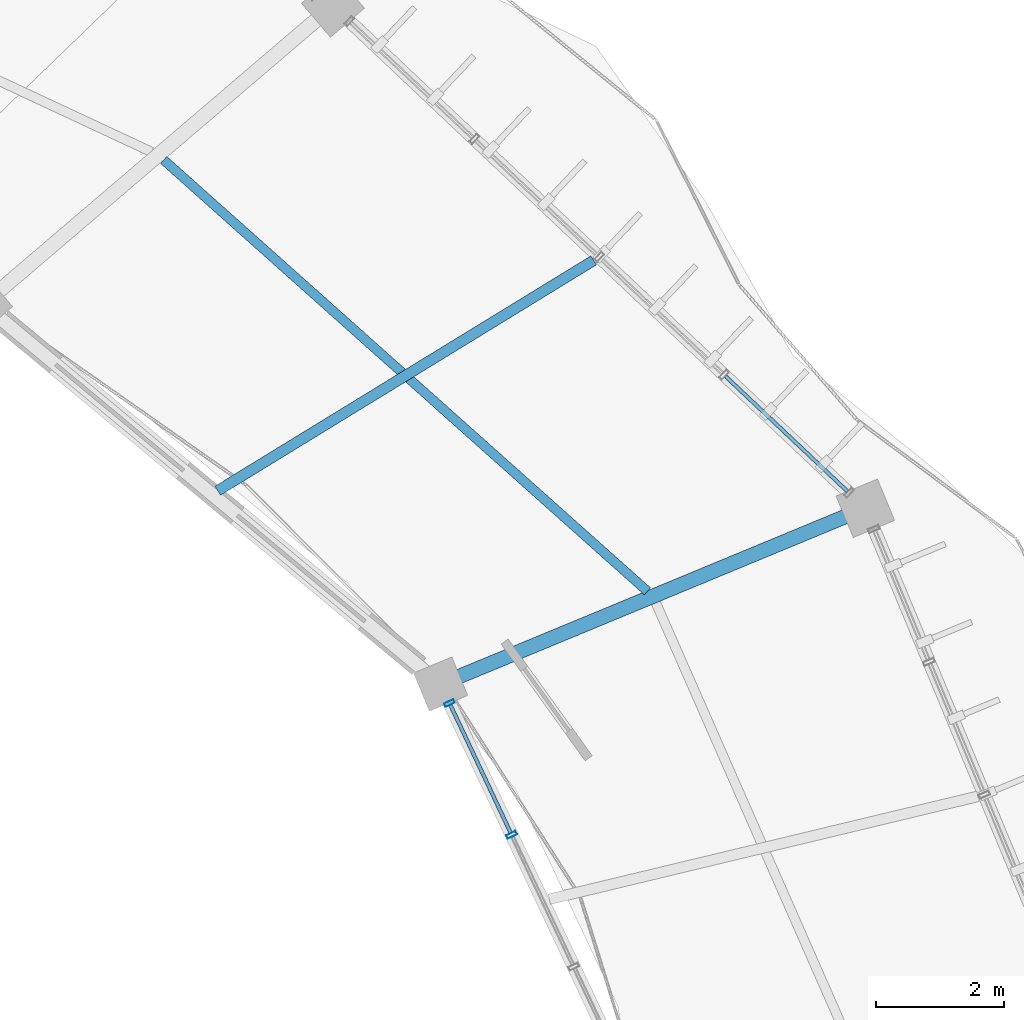
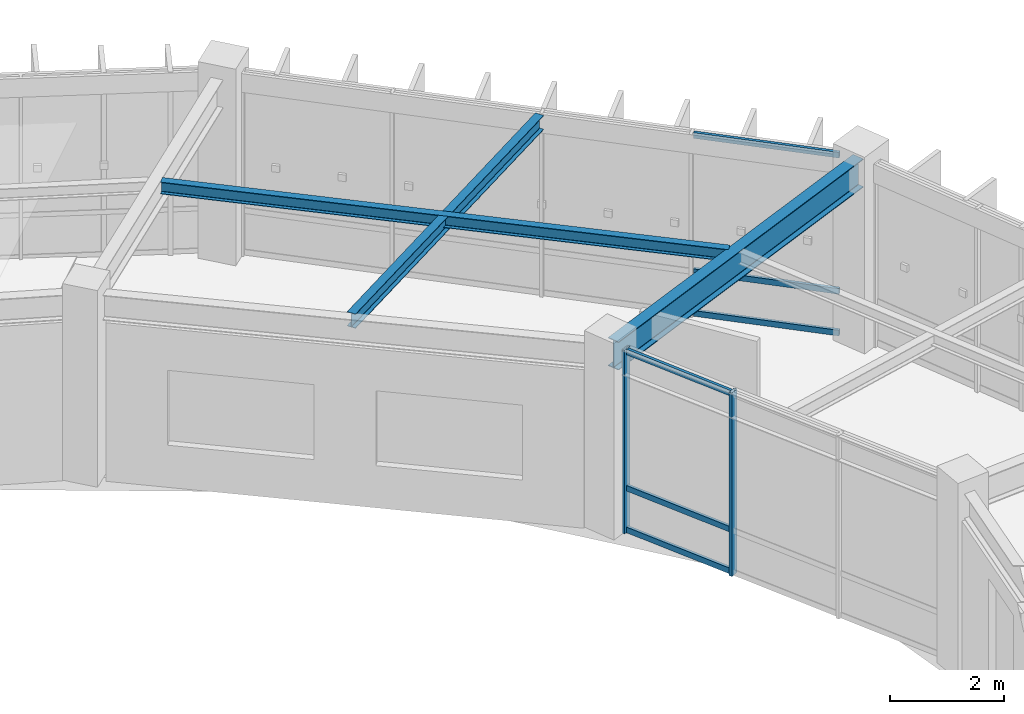
# One storey, part 98 of 138: 8 members, 3 beams, 2 elements without a shape of their own.
"""IFC4 building model written with IfcOpenShell, lengths in metres."""

from ifc_helpers import new_model, si_unit, direction, frame, origin, origin_2d, place, context, subcontext, project, spatial, hollow_rectangle, i_section, extrude, material, material_profile, profile_set, type_object, element, aggregate, save


model = new_model("IFC4")

# Units and contexts
model_context = context("Model", 3, precision=1e-05, world=origin(), true_north=direction((0.0, 1.0)))
body_context = subcontext(model_context, "Body", "Model", "MODEL_VIEW")
ifc_project = project(units=[si_unit("LENGTHUNIT", "METRE"), si_unit("AREAUNIT", "SQUARE_METRE"), si_unit("VOLUMEUNIT", "CUBIC_METRE"), si_unit("PLANEANGLEUNIT", "RADIAN"), si_unit("MASSUNIT", "GRAM", prefix="KILO"), si_unit("THERMODYNAMICTEMPERATUREUNIT", "KELVIN"), si_unit("POWERUNIT", "WATT")], contexts=[model_context])

# Site, building, storey
site_placement = place(None, origin())
site = spatial("IfcSite", under=ifc_project, at=site_placement, CompositionType="ELEMENT")
building_placement = place(site_placement, origin())
building = spatial("IfcBuilding", under=site, at=building_placement, Name="Darbajah Civic Hall", CompositionType="ELEMENT")
storey_placement = place(building_placement, frame((0.0, 0.0, 9.60009765625)))
storey = spatial("IfcBuildingStorey", under=building, at=storey_placement, Name="L02", CompositionType="ELEMENT", Elevation=9.60009765625)

# Curtain wall, members
ifc_material_1 = material(Name="Anodised Bronze Aluminium and Low-E Glazing", Category="aluminium")
curtain_wall_type_1 = type_object("IfcCurtainWallType", Name="Unitised Curtain Wall CW-38 6800x3900", PredefinedType="USERDEFINED", material=ifc_material_1)
curtain_wall_1_placement = place(storey_placement, origin())
curtain_wall_1 = element("IfcCurtainWall", 1, at=curtain_wall_1_placement, inside=storey, type_object=curtain_wall_type_1, Name="L02 unitised curtain wall CW-V1I-L02-00", ObjectType="UNITISED CURTAIN WALL", PredefinedType="USERDEFINED")
ifc_material_2 = material(Name="Anodised Bronze Aluminium", Category="aluminium")
ifc_material_profile_1 = material_profile(ifc_material_2, hollow_rectangle(XDim=0.06005859375, YDim=0.159912109375, WallThickness=0.00341796875, at=origin_2d()), Name="ALU MULLION 60x160")
ifc_profile_set_1 = profile_set([ifc_material_profile_1], Name="Anodised Bronze Aluminium")
member_type_1 = type_object("IfcMemberType", Name="ALU MULLION 60x160", PredefinedType="MULLION", material=ifc_profile_set_1)
member_1_placement = place(storey_placement, frame((130.6787109375, 95.973876953125, 0.0), z_axis=(0.0, 0.0, 1.0), x_axis=(-0.426568739901, 0.904455145454, 0.0)))
member_1 = element("IfcMember", 2, at=member_1_placement, type_object=member_type_1, Name="CW-V1I-L02-00 mullion 3", PredefinedType="MULLION", context=body_context, shape_type="SweptSolid", body=[
    extrude(hollow_rectangle(XDim=0.06005859375, YDim=0.159912109375, WallThickness=0.00341796875, at=origin_2d()), origin(), (0.0, 0.0, 1.0), 3.919921875),
])
member_2_placement = place(storey_placement, frame((129.705322265625, 98.0380859375, 0.0), z_axis=(0.0, 0.0, 1.0), x_axis=(-0.426568739901, 0.904455145454, 0.0)))
member_2 = element("IfcMember", 3, at=member_2_placement, type_object=member_type_1, Name="CW-V1I-L02-00 mullion 4", PredefinedType="MULLION", context=body_context, shape_type="SweptSolid", body=[
    extrude(hollow_rectangle(XDim=0.06005859375, YDim=0.159912109375, WallThickness=0.00341796875, at=origin_2d()), origin(), (0.0, 0.0, 1.0), 3.919921875),
])
ifc_material_profile_2 = material_profile(ifc_material_2, hollow_rectangle(XDim=0.06005859375, YDim=0.1201171875, WallThickness=0.003173828125, at=origin_2d()), Name="ALU TRANSOM 60x120")
ifc_profile_set_2 = profile_set([ifc_material_profile_2], Name="Anodised Bronze Aluminium")
member_type_2 = type_object("IfcMemberType", Name="ALU TRANSOM 60x120", PredefinedType="USERDEFINED", material=ifc_profile_set_2)
member_3_placement = place(storey_placement, frame((130.663818359375, 96.005615234375, 0.059814453125), z_axis=(-0.426567573353, 0.904455695634, 0.0), x_axis=(-0.904455695634, -0.426567573353, 0.0)))
member_3 = element("IfcMember", 4, at=member_3_placement, type_object=member_type_2, Name="CW-V1I-L02-00 transom 3.1", ObjectType="TRANSOM", PredefinedType="USERDEFINED", context=body_context, shape_type="SweptSolid", body=[
    extrude(hollow_rectangle(XDim=0.06005859375, YDim=0.1201171875, WallThickness=0.003173828125, at=origin_2d()), origin(), (0.0, 0.0, 1.0), 2.212158203125),
])
member_4_placement = place(storey_placement, frame((130.663818359375, 96.005615234375, 0.949951171875), z_axis=(-0.426567573353, 0.904455695634, 0.0), x_axis=(-0.904455695634, -0.426567573353, 0.0)))
member_4 = element("IfcMember", 5, at=member_4_placement, type_object=member_type_2, Name="CW-V1I-L02-00 transom 3.2", ObjectType="TRANSOM", PredefinedType="USERDEFINED", context=body_context, shape_type="SweptSolid", body=[
    extrude(hollow_rectangle(XDim=0.06005859375, YDim=0.1201171875, WallThickness=0.003173828125, at=origin_2d()), origin(), (0.0, 0.0, 1.0), 2.212158203125),
])
member_5_placement = place(storey_placement, frame((130.663818359375, 96.005615234375, 3.85986328125), z_axis=(-0.426567573353, 0.904455695634, 0.0), x_axis=(-0.904455695634, -0.426567573353, 0.0)))
member_5 = element("IfcMember", 6, at=member_5_placement, type_object=member_type_2, Name="CW-V1I-L02-00 transom 3.3", ObjectType="TRANSOM", PredefinedType="USERDEFINED", context=body_context, shape_type="SweptSolid", body=[
    extrude(hollow_rectangle(XDim=0.06005859375, YDim=0.1201171875, WallThickness=0.003173828125, at=origin_2d()), origin(), (0.0, 0.0, 1.0), 2.212158203125),
])
aggregate(curtain_wall_1, [member_1, member_2, member_3, member_4, member_5])

curtain_wall_type_2 = type_object("IfcCurtainWallType", Name="Unitised Curtain Wall CW-39 10800x3900", PredefinedType="USERDEFINED", material=ifc_material_1)
curtain_wall_2_placement = place(storey_placement, origin())
curtain_wall_2 = element("IfcCurtainWall", 7, at=curtain_wall_2_placement, inside=storey, type_object=curtain_wall_type_2, Name="L02 unitised curtain wall CW-V1O-L02-01", ObjectType="UNITISED CURTAIN WALL", PredefinedType="USERDEFINED")
member_6_placement = place(storey_placement, frame((135.936279296875, 101.354736328125, 0.059814453125), z_axis=(-0.727173346893, 0.686453875777, 0.0), x_axis=(-0.686453875777, -0.727173346893, 0.0)))
member_6 = element("IfcMember", 8, at=member_6_placement, type_object=member_type_2, Name="CW-V1O-L02-01 transom 1.1", ObjectType="TRANSOM", PredefinedType="USERDEFINED", context=body_context, shape_type="SweptSolid", body=[
    extrude(hollow_rectangle(XDim=0.06005859375, YDim=0.1201171875, WallThickness=0.003173828125, at=origin_2d()), origin(), (0.0, 0.0, 1.0), 2.6201171875),
])
member_7_placement = place(storey_placement, frame((135.936279296875, 101.354736328125, 0.949951171875), z_axis=(-0.727173346893, 0.686453875777, 0.0), x_axis=(-0.686453875777, -0.727173346893, 0.0)))
member_7 = element("IfcMember", 9, at=member_7_placement, type_object=member_type_2, Name="CW-V1O-L02-01 transom 1.2", ObjectType="TRANSOM", PredefinedType="USERDEFINED", context=body_context, shape_type="SweptSolid", body=[
    extrude(hollow_rectangle(XDim=0.06005859375, YDim=0.1201171875, WallThickness=0.003173828125, at=origin_2d()), origin(), (0.0, 0.0, 1.0), 2.6201171875),
])
member_8_placement = place(storey_placement, frame((135.936279296875, 101.354736328125, 3.85986328125), z_axis=(-0.727173346893, 0.686453875777, 0.0), x_axis=(-0.686453875777, -0.727173346893, 0.0)))
member_8 = element("IfcMember", 10, at=member_8_placement, type_object=member_type_2, Name="CW-V1O-L02-01 transom 1.3", ObjectType="TRANSOM", PredefinedType="USERDEFINED", context=body_context, shape_type="SweptSolid", body=[
    extrude(hollow_rectangle(XDim=0.06005859375, YDim=0.1201171875, WallThickness=0.003173828125, at=origin_2d()), origin(), (0.0, 0.0, 1.0), 2.6201171875),
])
aggregate(curtain_wall_2, [member_6, member_7, member_8])

# Beams
ifc_material_3 = material(Name="Steel S355JR", Category="steel")
ifc_material_profile_3 = material_profile(ifc_material_3, i_section(OverallWidth=0.146484375, OverallDepth=0.256103515625, WebThickness=0.00634765625, FlangeThickness=0.010986328125, FilletRadius=0.007568359375, at=origin_2d()), Name="UB 254x146x37")
ifc_profile_set_3 = profile_set([ifc_material_profile_3], Name="Steel S355JR")
beam_type_1 = type_object("IfcBeamType", Name="UB 254x146x37", PredefinedType="JOIST", material=ifc_profile_set_3)
beam_1_placement = place(storey_placement, frame((132.805419921875, 99.788818359375, 3.7919921875), z_axis=(-0.746395859773, 0.665502231787, 0.0), x_axis=(-0.665502231787, -0.746395859773, 0.0)))
element("IfcBeam", 11, at=beam_1_placement, inside=storey, type_object=beam_type_1, Name="L02 beam SJ-254", PredefinedType="JOIST", context=body_context, shape_type="SweptSolid", body=[
    extrude(i_section(OverallWidth=0.146484375, OverallDepth=0.256103515625, WebThickness=0.00634765625, FlangeThickness=0.010986328125, FilletRadius=0.007568359375, at=origin_2d()), origin(), (0.0, 0.0, 1.0), 10.149658203125),
])
ifc_material_profile_4 = material_profile(ifc_material_3, i_section(OverallWidth=0.165771484375, OverallDepth=0.306640625, WebThickness=0.006591796875, FlangeThickness=0.01171875, FilletRadius=0.0087890625, at=origin_2d()), Name="UB 305x165x46")
ifc_profile_set_4 = profile_set([ifc_material_profile_4], Name="Steel S355JR")
beam_type_2 = type_object("IfcBeamType", Name="UB 305x165x46", PredefinedType="JOIST", material=ifc_profile_set_4)
beam_2_placement = place(storey_placement, frame((126.076171875, 101.363525390625, 3.7666015625), z_axis=(0.852634287744, 0.522508154351, 0.0), x_axis=(-0.522508154351, 0.852634287744, 0.0)))
element("IfcBeam", 12, at=beam_2_placement, inside=storey, type_object=beam_type_2, Name="L02 beam SJ-305", PredefinedType="JOIST", context=body_context, shape_type="SweptSolid", body=[
    extrude(i_section(OverallWidth=0.165771484375, OverallDepth=0.306640625, WebThickness=0.006591796875, FlangeThickness=0.01171875, FilletRadius=0.0087890625, at=origin_2d()), origin(), (0.0, 0.0, 1.0), 6.903564453125),
])
ifc_material_profile_5 = material_profile(ifc_material_3, i_section(OverallWidth=0.228271484375, OverallDepth=0.607666015625, WebThickness=0.010986328125, FlangeThickness=0.017333984375, FilletRadius=0.0126953125, at=origin_2d()), Name="UB 610x229x113")
ifc_profile_set_5 = profile_set([ifc_material_profile_5], Name="Steel S355JR")
beam_type_3 = type_object("IfcBeamType", Name="UB 610x229x113", PredefinedType="BEAM", material=ifc_profile_set_5)
beam_3_placement = place(storey_placement, frame((129.639892578125, 98.364501953125, 3.6162109375), z_axis=(0.923880311259, 0.382681552297, 0.0), x_axis=(-0.382681552297, 0.923880311259, 0.0)))
element("IfcBeam", 13, at=beam_3_placement, inside=storey, type_object=beam_type_3, Name="L02 beam SB-610", PredefinedType="BEAM", context=body_context, shape_type="SweptSolid", body=[
    extrude(i_section(OverallWidth=0.228271484375, OverallDepth=0.607666015625, WebThickness=0.010986328125, FlangeThickness=0.017333984375, FilletRadius=0.0126953125, at=origin_2d()), origin(), (0.0, 0.0, 1.0), 7.0400390625),
])

save(model, "model.ifc")
